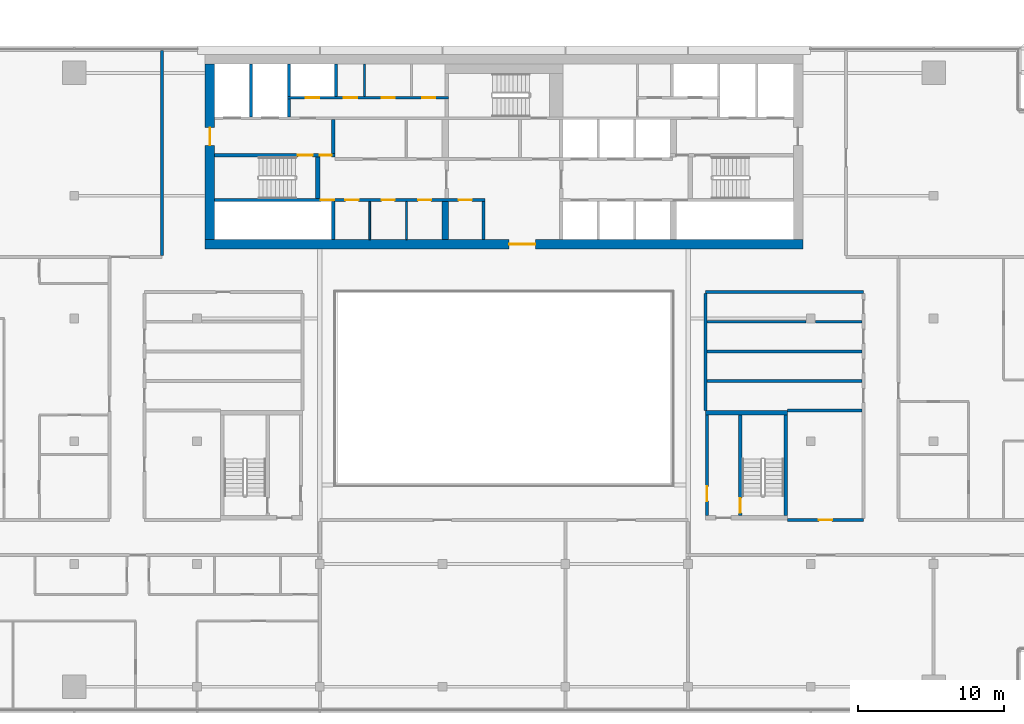
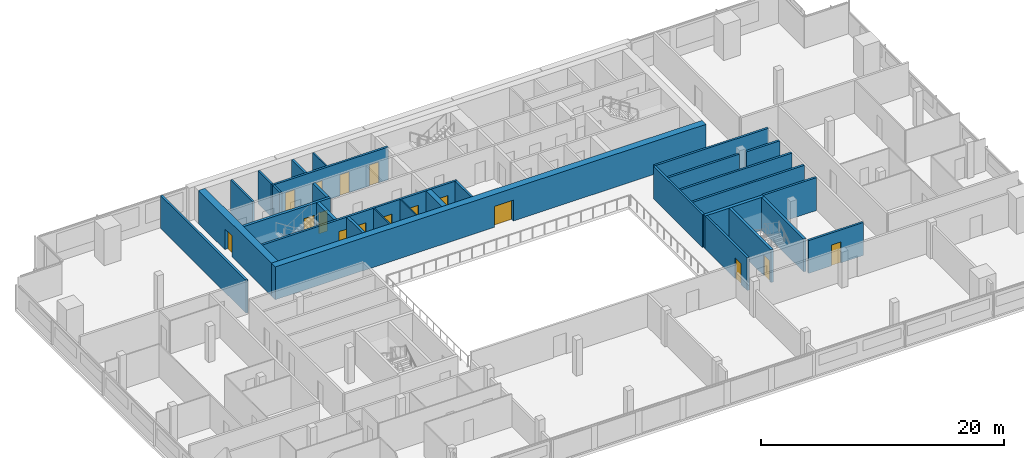
# One storey, part 19 of 25: 30 walls, 16 doors, 16 openings.
"""IFC4 building model written with IfcOpenShell, lengths in metres."""

import ifcopenshell
import ifcopenshell.guid

model = None  # the IFC model being written
_history = None  # IfcOwnerHistory: only IFC2X3 demands one
_inside = {}  # id of a spatial element -> (the spatial element, [elements in it])
_under = {}  # id of a project, library or spatial element -> (it, [spatial elements below it])
_declared = {}  # id of a project -> (the project, [libraries it declares])
_typed = {}  # id of a type object -> (the type object, [elements of that type])
_made_of = {}  # id of a material, layer set ... -> (it, [elements and type objects made of it])


def new_model(schema):
    """Start an empty IFC model of exactly this schema.

    Asked for "IFC4X3", IfcOpenShell would pick the latest addendum, in which some entities
    have other attributes; the version numbers below select the first issue.
    IFC2X3 requires an IfcOwnerHistory on every rooted entity: one is made here for all.
    """
    global model, _history
    if schema == "IFC4X3":
        model = ifcopenshell.file(schema_version=(4, 3, 0, 0))
    else:
        model = ifcopenshell.file(schema=schema)
    _inside.clear()
    _under.clear()
    _declared.clear()
    _typed.clear()
    _made_of.clear()
    _history = None
    if model.schema == "IFC2X3":
        org = make("IfcOrganization", Name="unknown")
        user = make(
            "IfcPersonAndOrganization",
            ThePerson=make("IfcPerson", FamilyName="unknown"),
            TheOrganization=org,
        )
        app = make(
            "IfcApplication",
            ApplicationDeveloper=org,
            Version="unknown",
            ApplicationFullName="unknown",
            ApplicationIdentifier="unknown",
        )
        _history = make(
            "IfcOwnerHistory",
            OwningUser=user,
            OwningApplication=app,
            ChangeAction="ADDED",
            CreationDate=0,
        )
    return model


def make(cls, **values):
    """One entity of the class cls with the attributes given. An attribute that is None is left unset."""
    return model.create_entity(
        cls, **{name: value for name, value in values.items() if value is not None}
    )


def rooted(cls, **values):
    """An entity with a GlobalId (a new one), such as an element, a storey or a relation."""
    return make(cls, GlobalId=ifcopenshell.guid.new(), OwnerHistory=_history, **values)


def si_unit(unit_type, name, prefix=None):
    """IfcSIUnit, for example si_unit("LENGTHUNIT", "METRE", prefix="MILLI")."""
    return make("IfcSIUnit", UnitType=unit_type, Prefix=prefix, Name=name)


def assignment(units):
    """IfcUnitAssignment: the units of a project."""
    return None if units is None else make("IfcUnitAssignment", Units=units)


def point(xyz):
    """IfcCartesianPoint."""
    return None if xyz is None else make("IfcCartesianPoint", Coordinates=xyz)


def direction(xyz):
    """IfcDirection."""
    return None if xyz is None else make("IfcDirection", DirectionRatios=xyz)


def frame(location, z_axis=None, x_axis=None):
    """IfcAxis2Placement3D, a coordinate frame: its origin and axes. An axis left out is left unset."""
    return make(
        "IfcAxis2Placement3D",
        Location=point(location),
        Axis=direction(z_axis),
        RefDirection=direction(x_axis),
    )


def frame_2d(location, x_axis=None):
    """IfcAxis2Placement2D, a coordinate frame in the plane: its origin and x axis."""
    return make(
        "IfcAxis2Placement2D", Location=point(location), RefDirection=direction(x_axis)
    )


def origin():
    """The frame at (0, 0, 0) with its axes left unset."""
    return frame((0.0, 0.0, 0.0))


def place(relative_to, where):
    """IfcLocalPlacement: puts the frame where relative to a parent placement (None: the world)."""
    return make(
        "IfcLocalPlacement", PlacementRelTo=relative_to, RelativePlacement=where
    )


def context(
    kind, dimensions, precision=None, world=None, true_north=None, identifier=None
):
    """IfcGeometricRepresentationContext, for example the 3D "Model" context."""
    return make(
        "IfcGeometricRepresentationContext",
        ContextIdentifier=identifier,
        ContextType=kind,
        CoordinateSpaceDimension=dimensions,
        Precision=precision,
        WorldCoordinateSystem=world,
        TrueNorth=true_north,
    )


def subcontext(parent, identifier, kind, view, scale=None):
    """IfcGeometricRepresentationSubContext, for example "Body" below "Model"."""
    return make(
        "IfcGeometricRepresentationSubContext",
        ContextIdentifier=identifier,
        ContextType=kind,
        ParentContext=parent,
        TargetScale=scale,
        TargetView=view,
    )


def project(units=None, contexts=None):
    """IfcProject with its units and contexts."""
    return rooted(
        "IfcProject",
        Name="project",
        RepresentationContexts=contexts,
        UnitsInContext=assignment(units),
    )


def spatial(cls, under=None, at=None, **own):
    """A site, building, storey or space (cls), placed at a placement, below another one or the project."""
    s = rooted(cls, ObjectPlacement=at, **own)
    if under is not None:
        _under.setdefault(under.id(), (under, []))[1].append(s)
    return s


def profile(cls, at=None, kind="AREA", **sizes):
    """A parametric profile (cls). Its sizes go by their IFC names, for example OverallWidth=200.0."""
    return make(cls, ProfileType=kind, Position=at, **sizes)


def rectangle(**sizes):
    """IfcRectangleProfileDef."""
    return profile("IfcRectangleProfileDef", **sizes)


def extrude(swept, where, along, depth):
    """IfcExtrudedAreaSolid: the profile swept, set in the frame where, extruded along a direction by depth."""
    return make(
        "IfcExtrudedAreaSolid",
        SweptArea=swept,
        Position=where,
        ExtrudedDirection=direction(along),
        Depth=depth,
    )


def shape(context_of_items, identifier, shape_type, items):
    """IfcShapeRepresentation: the items that make up one representation, for example the "Body"."""
    return make(
        "IfcShapeRepresentation",
        ContextOfItems=context_of_items,
        RepresentationIdentifier=identifier,
        RepresentationType=shape_type,
        Items=items,
    )


def material(Name=None, Category=None):
    """IfcMaterial."""
    return make("IfcMaterial", Name=Name, Category=Category)


def layer(
    of_material, thickness, ventilated=None, Name=None, Category=None, Priority=None
):
    """IfcMaterialLayer: one layer of a wall or slab, of a material (None: an air gap)."""
    return make(
        "IfcMaterialLayer",
        Material=of_material,
        LayerThickness=thickness,
        IsVentilated=ventilated,
        Name=Name,
        Category=Category,
        Priority=Priority,
    )


def layer_set(layers, Name=None):
    """IfcMaterialLayerSet."""
    return make("IfcMaterialLayerSet", MaterialLayers=layers, LayerSetName=Name)


def made_of(thing, what):
    """Note that an element or type object is made of a material, layer set ...; save() writes the relation."""
    if what is not None:
        _made_of.setdefault(what.id(), (what, []))[1].append(thing)
    return thing


def type_object(cls, material=None, **own):
    """A type object (cls), such as IfcWallType, which elements share."""
    return made_of(rooted(cls, **own), material)


def element(
    cls,
    number,
    at=None,
    inside=None,
    cuts=None,
    type_object=None,
    material=None,
    context=None,
    identifier="Body",
    shape_type=None,
    held_by="IfcProductDefinitionShape",
    body=None,
    shapes=None,
    **own,
):
    """One element of the class cls, such as IfcWall. Its Tag is "e" and its number.

    at: its placement. inside: the storey or other place that contains it. cuts: it is an
    opening in that element (IfcRelVoidsElement). A single representation is given by context,
    identifier, shape_type and body (its items); several are given by shapes. held_by: the class
    of the entity that holds the representations. save() writes the other relations.
    """
    e = rooted(cls, Tag="e%d" % number, ObjectPlacement=at, **own)
    if body is not None:
        shapes = [shape(context, identifier, shape_type, body)]
    if shapes is not None:
        e.Representation = make(held_by, Representations=shapes)
    if inside is not None:
        _inside.setdefault(inside.id(), (inside, []))[1].append(e)
    if cuts is not None:
        rooted(
            "IfcRelVoidsElement", RelatingBuildingElement=cuts, RelatedOpeningElement=e
        )
    if type_object is not None:
        _typed.setdefault(type_object.id(), (type_object, []))[1].append(e)
    return made_of(e, material)


def fill(opening, filler):
    """IfcRelFillsElement: the door or window that sits in an opening."""
    return rooted(
        "IfcRelFillsElement",
        RelatingOpeningElement=opening,
        RelatedBuildingElement=filler,
    )


def aggregate(whole, parts):
    """IfcRelAggregates: a whole, such as a stair, and the parts it consists of."""
    return rooted("IfcRelAggregates", RelatingObject=whole, RelatedObjects=parts)


def save(model, path):
    """Write the relations noted so far, then the file.

    IfcRelAggregates (storeys below a building ...), IfcRelContainedInSpatialStructure (elements
    in a storey), IfcRelDefinesByType, IfcRelAssociatesMaterial and IfcRelDeclares: one each for
    every whole, place, type object, material and project.
    """
    for whole, parts in _under.values():
        aggregate(whole, parts)
    for where, things in _inside.values():
        rooted(
            "IfcRelContainedInSpatialStructure",
            RelatedElements=things,
            RelatingStructure=where,
        )
    for kind, things in _typed.values():
        rooted("IfcRelDefinesByType", RelatedObjects=things, RelatingType=kind)
    for what, things in _made_of.values():
        rooted("IfcRelAssociatesMaterial", RelatedObjects=things, RelatingMaterial=what)
    for by, libraries in _declared.values():
        rooted("IfcRelDeclares", RelatingContext=by, RelatedDefinitions=libraries)
    model.write(path)


model = new_model("IFC4")

# Units and contexts
model_context = context("Model", 3, precision=1e-05, world=origin(), true_north=direction((0.0, 1.0)))
body_context = subcontext(model_context, "Body", "Model", "MODEL_VIEW")
ifc_project = project(units=[si_unit("LENGTHUNIT", "METRE"), si_unit("AREAUNIT", "SQUARE_METRE"), si_unit("VOLUMEUNIT", "CUBIC_METRE"), si_unit("PLANEANGLEUNIT", "RADIAN"), si_unit("MASSUNIT", "GRAM", prefix="KILO")], contexts=[model_context])

# Site, building, storey
site_placement = place(None, origin())
site = spatial("IfcSite", under=ifc_project, at=site_placement, CompositionType="ELEMENT")
building_placement = place(site_placement, origin())
building = spatial("IfcBuilding", under=site, at=building_placement, Name="Saffron Gate Tower", CompositionType="ELEMENT")
storey_placement = place(building_placement, frame((0.0, 0.0, 248.699951171875)))
storey = spatial("IfcBuildingStorey", under=building, at=storey_placement, Name="L61", CompositionType="ELEMENT", Elevation=248.699951171875)

# Wall
ifc_material_1 = material(Name="Gypsum board partition on steel studs", Category="steel")
ifc_layer_1 = layer(ifc_material_1, 0.199951171875)
ifc_layer_set_1 = layer_set([ifc_layer_1], Name="CW10 Core partition 200")
wall_type_1 = type_object("IfcWallType", Name="CW10 Core partition 200", PredefinedType="PARTITIONING", material=ifc_layer_set_1)
wall_1_placement = place(storey_placement, frame((86.199951171875, 62.39990234375, 0.0), z_axis=(0.0, 0.0, 1.0), x_axis=(0.0, 1.0, 0.0)))
element("IfcWall", 1, at=wall_1_placement, inside=storey, type_object=wall_type_1, Name="Wall CW10-L61-9", PredefinedType="PARTITIONING", context=body_context, shape_type="SweptSolid", body=[
    extrude(rectangle(XDim=2.60009765625, YDim=0.199951171875, at=frame_2d((1.300048828125, 0.0))), origin(), (0.0, 0.0, 1.0), 3.300048828125),
])

# Wall, opening, door
wall_2_placement = place(storey_placement, frame((101.5, 43.5, 0.0), z_axis=(0.0, 0.0, 1.0), x_axis=(0.0, 1.0, 0.0)))
wall_2 = element("IfcWall", 2, at=wall_2_placement, inside=storey, type_object=wall_type_1, Name="Wall CW10-L61-E-2", PredefinedType="PARTITIONING", context=body_context, shape_type="SweptSolid", body=[
    extrude(rectangle(XDim=6.89990234375, YDim=0.199951171875, at=frame_2d((3.449951171875, 0.0))), origin(), (0.0, 0.0, 1.0), 3.300048828125),
])
opening_1_placement = place(wall_2_placement, frame((1.0, 0.0, 0.0)))
opening_1 = element("IfcOpeningElement", 3, at=opening_1_placement, cuts=wall_2, Name="Opening CR-22", PredefinedType="OPENING", context=body_context, shape_type="SweptSolid", body=[
    extrude(rectangle(XDim=1.0, YDim=2.10009765625, at=frame_2d((0.5, 1.050048828125))), frame((0.0, 0.10986328125, 0.0), z_axis=(0.0, -1.0, 0.0), x_axis=(1.0, 0.0, 0.0)), (0.0, 0.0, 1.0), 0.219970703125),
])
ifc_material_2 = material(Name="Steel fire door set", Category="steel")
door_type_1 = type_object("IfcDoorType", Name="CD4 Lobby door 1000x2100 EI 120", OperationType="NOTDEFINED", PredefinedType="DOOR", material=ifc_material_2)
door_1_placement = place(opening_1_placement, origin())
door_1 = element("IfcDoor", 4, at=door_1_placement, inside=storey, type_object=door_type_1, Name="DOOR CR-22", OperationType="SINGLE_SWING_LEFT", OverallHeight=2.10009765625, OverallWidth=1.0, PredefinedType="DOOR", context=body_context, shape_type="SweptSolid", body=[
    extrude(rectangle(XDim=1.0, YDim=2.10009765625, at=frame_2d((0.5, 1.050048828125))), frame((0.0, 0.02490234375, 0.0), z_axis=(0.0, -1.0, 0.0), x_axis=(1.0, 0.0, 0.0)), (0.0, 0.0, 1.0), 0.050048828125),
])
fill(opening_1, door_1)

# Wall
ifc_material_3 = material(Name="Concrete C60", Category="concrete")
ifc_layer_2 = layer(ifc_material_3, 0.25)
ifc_layer_set_2 = layer_set([ifc_layer_2], Name="CW14 RC core wall 250 C60")
wall_type_2 = type_object("IfcWallType", Name="CW14 RC core wall 250 C60", PredefinedType="SOLIDWALL", material=ifc_layer_set_2)
wall_3_placement = place(storey_placement, frame((75.925048828125, 62.39990234375, 0.0), z_axis=(0.0, 0.0, 1.0), x_axis=(0.0, 1.0, 0.0)))
element("IfcWall", 5, at=wall_3_placement, inside=storey, type_object=wall_type_2, Name="Wall CW14-L61-5", PredefinedType="SOLIDWALL", context=body_context, shape_type="SweptSolid", body=[
    extrude(rectangle(XDim=2.60009765625, YDim=0.25, at=frame_2d((1.300048828125, 0.0))), origin(), (0.0, 0.0, 1.0), 3.300048828125),
])

# Wall, openings, doors
wall_4_placement = place(storey_placement, frame((67.800048828125, 68.175048828125, 0.0), z_axis=(0.0, 0.0, 1.0), x_axis=(1.0, 0.0, 0.0)))
wall_4 = element("IfcWall", 6, at=wall_4_placement, inside=storey, type_object=wall_type_2, Name="Wall CW14-L61-28", PredefinedType="SOLIDWALL", context=body_context, shape_type="SweptSolid", body=[
    extrude(rectangle(XDim=8.25, YDim=0.25, at=frame_2d((4.125, 0.0))), origin(), (0.0, 0.0, 1.0), 3.300048828125),
])
opening_2_placement = place(wall_4_placement, frame((5.699951171875, 0.0, 0.0)))
opening_2 = element("IfcOpeningElement", 7, at=opening_2_placement, cuts=wall_4, Name="Opening CR-15", PredefinedType="OPENING", context=body_context, shape_type="SweptSolid", body=[
    extrude(rectangle(XDim=1.0, YDim=2.10009765625, at=frame_2d((0.5, 1.050048828125))), frame((0.0, 0.135009765625, 0.0), z_axis=(0.0, -1.0, 0.0), x_axis=(1.0, 0.0, 0.0)), (0.0, 0.0, 1.0), 0.27001953125),
])
opening_3_placement = place(wall_4_placement, frame((7.199951171875, 0.0, 0.0)))
opening_3 = element("IfcOpeningElement", 8, at=opening_3_placement, cuts=wall_4, Name="Opening CR-06", PredefinedType="OPENING", context=body_context, shape_type="SweptSolid", body=[
    extrude(rectangle(XDim=0.800048828125, YDim=2.10009765625, at=frame_2d((0.39990234375, 1.050048828125))), frame((0.0, 0.135009765625, 0.0), z_axis=(0.0, -1.0, 0.0), x_axis=(1.0, 0.0, 0.0)), (0.0, 0.0, 1.0), 0.27001953125),
])
door_type_2 = type_object("IfcDoorType", Name="CD5 Stair door 1000x2100 EI 120", OperationType="NOTDEFINED", PredefinedType="DOOR", material=ifc_material_2)
door_2_placement = place(opening_2_placement, origin())
door_2 = element("IfcDoor", 9, at=door_2_placement, inside=storey, type_object=door_type_2, Name="DOOR CR-15", OperationType="SINGLE_SWING_RIGHT", OverallHeight=2.10009765625, OverallWidth=1.0, PredefinedType="DOOR", context=body_context, shape_type="SweptSolid", body=[
    extrude(rectangle(XDim=1.0, YDim=2.10009765625, at=frame_2d((0.5, 1.050048828125))), frame((0.0, 0.02490234375, 0.0), z_axis=(0.0, -1.0, 0.0), x_axis=(1.0, 0.0, 0.0)), (0.0, 0.0, 1.0), 0.050048828125),
])
fill(opening_2, door_2)
door_type_3 = type_object("IfcDoorType", Name="CD6 Lobby door 800x2100 EI 120", OperationType="NOTDEFINED", PredefinedType="DOOR", material=ifc_material_2)
door_3_placement = place(opening_3_placement, origin())
door_3 = element("IfcDoor", 10, at=door_3_placement, inside=storey, type_object=door_type_3, Name="DOOR CR-06", OperationType="SINGLE_SWING_LEFT", OverallHeight=2.10009765625, OverallWidth=0.800048828125, PredefinedType="DOOR", context=body_context, shape_type="SweptSolid", body=[
    extrude(rectangle(XDim=0.800048828125, YDim=2.10009765625, at=frame_2d((0.39990234375, 1.050048828125))), frame((0.0, 0.02490234375, 0.0), z_axis=(0.0, -1.0, 0.0), x_axis=(1.0, 0.0, 0.0)), (0.0, 0.0, 1.0), 0.050048828125),
])
fill(opening_3, door_3)

# Wall
wall_5_placement = place(storey_placement, frame((75.925048828125, 68.300048828125, 0.0), z_axis=(0.0, 0.0, 1.0), x_axis=(0.0, 1.0, 0.0)))
element("IfcWall", 11, at=wall_5_placement, inside=storey, type_object=wall_type_2, Name="Wall CW14-L61-30", PredefinedType="SOLIDWALL", context=body_context, shape_type="SweptSolid", body=[
    extrude(rectangle(XDim=2.300048828125, YDim=0.25, at=frame_2d((1.14990234375, 0.0))), origin(), (0.0, 0.0, 1.0), 3.300048828125),
])

# Wall, opening, door
wall_6_placement = place(storey_placement, frame((103.77490234375, 43.5, 0.0), z_axis=(0.0, 0.0, 1.0), x_axis=(0.0, 1.0, 0.0)))
wall_6 = element("IfcWall", 12, at=wall_6_placement, inside=storey, type_object=wall_type_2, Name="Wall CW14-L61-E-3", PredefinedType="SOLIDWALL", context=body_context, shape_type="SweptSolid", body=[
    extrude(rectangle(XDim=6.89990234375, YDim=0.25, at=frame_2d((3.449951171875, 0.0))), origin(), (0.0, 0.0, 1.0), 3.300048828125),
])
opening_4_placement = place(wall_6_placement, frame((0.199951171875, 0.0, 0.0)))
opening_4 = element("IfcOpeningElement", 13, at=opening_4_placement, cuts=wall_6, Name="Opening CR-23", PredefinedType="OPENING", context=body_context, shape_type="SweptSolid", body=[
    extrude(rectangle(XDim=1.0, YDim=2.10009765625, at=frame_2d((0.5, 1.050048828125))), frame((0.0, 0.135009765625, 0.0), z_axis=(0.0, -1.0, 0.0), x_axis=(1.0, 0.0, 0.0)), (0.0, 0.0, 1.0), 0.27001953125),
])
door_4_placement = place(opening_4_placement, origin())
door_4 = element("IfcDoor", 14, at=door_4_placement, inside=storey, type_object=door_type_2, Name="DOOR CR-23", OperationType="SINGLE_SWING_RIGHT", OverallHeight=2.10009765625, OverallWidth=1.0, PredefinedType="DOOR", context=body_context, shape_type="SweptSolid", body=[
    extrude(rectangle(XDim=1.0, YDim=2.10009765625, at=frame_2d((0.5, 1.050048828125))), frame((0.0, 0.02490234375, 0.0), z_axis=(0.0, -1.0, 0.0), x_axis=(1.0, 0.0, 0.0)), (0.0, 0.0, 1.0), 0.050048828125),
])
fill(opening_4, door_4)

# Wall
wall_7_placement = place(storey_placement, frame((106.875, 43.5, 0.0), z_axis=(0.0, 0.0, 1.0), x_axis=(0.0, 1.0, 0.0)))
element("IfcWall", 15, at=wall_7_placement, inside=storey, type_object=wall_type_2, Name="Wall CW14-L61-E-4", PredefinedType="SOLIDWALL", context=body_context, shape_type="SweptSolid", body=[
    extrude(rectangle(XDim=6.89990234375, YDim=0.25, at=frame_2d((3.449951171875, 0.0))), origin(), (0.0, 0.0, 1.0), 3.300048828125),
])

# Wall, openings, doors
ifc_layer_3 = layer(ifc_material_3, 0.199951171875)
ifc_layer_set_3 = layer_set([ifc_layer_3], Name="CW15 RC core wall 200 C60")
wall_type_3 = type_object("IfcWallType", Name="CW15 RC core wall 200 C60", PredefinedType="SOLIDWALL", material=ifc_layer_set_3)
wall_8_placement = place(storey_placement, frame((67.800048828125, 65.10009765625, 0.0), z_axis=(0.0, 0.0, 1.0), x_axis=(1.0, 0.0, 0.0)))
wall_8 = element("IfcWall", 16, at=wall_8_placement, inside=storey, type_object=wall_type_3, Name="Wall CW15-L61-14", PredefinedType="SOLIDWALL", context=body_context, shape_type="SweptSolid", body=[
    extrude(rectangle(XDim=18.5, YDim=0.199951171875, at=frame_2d((9.25, 0.0))), origin(), (0.0, 0.0, 1.0), 3.300048828125),
])
opening_5_placement = place(wall_8_placement, frame((7.27001953125, 0.0, 0.0)))
opening_5 = element("IfcOpeningElement", 17, at=opening_5_placement, cuts=wall_8, Name="Opening CR-49", PredefinedType="OPENING", context=body_context, shape_type="SweptSolid", body=[
    extrude(rectangle(XDim=0.89990234375, YDim=2.10009765625, at=frame_2d((0.449951171875, 1.050048828125))), frame((0.0, 0.10986328125, 0.0), z_axis=(0.0, -1.0, 0.0), x_axis=(1.0, 0.0, 0.0)), (0.0, 0.0, 1.0), 0.219970703125),
])
opening_6_placement = place(wall_8_placement, frame((8.949951171875, 0.0, 0.0)))
opening_6 = element("IfcOpeningElement", 18, at=opening_6_placement, cuts=wall_8, Name="Opening CR-64", PredefinedType="OPENING", context=body_context, shape_type="SweptSolid", body=[
    extrude(rectangle(XDim=0.89990234375, YDim=2.10009765625, at=frame_2d((0.449951171875, 1.050048828125))), frame((0.0, 0.10986328125, 0.0), z_axis=(0.0, -1.0, 0.0), x_axis=(1.0, 0.0, 0.0)), (0.0, 0.0, 1.0), 0.219970703125),
])
opening_7_placement = place(wall_8_placement, frame((11.419921875, 0.0, 0.0)))
opening_7 = element("IfcOpeningElement", 19, at=opening_7_placement, cuts=wall_8, Name="Opening CR-65", PredefinedType="OPENING", context=body_context, shape_type="SweptSolid", body=[
    extrude(rectangle(XDim=0.89990234375, YDim=2.10009765625, at=frame_2d((0.449951171875, 1.050048828125))), frame((0.0, 0.10986328125, 0.0), z_axis=(0.0, -1.0, 0.0), x_axis=(1.0, 0.0, 0.0)), (0.0, 0.0, 1.0), 0.219970703125),
])
opening_8_placement = place(wall_8_placement, frame((13.919921875, 0.0, 0.0)))
opening_8 = element("IfcOpeningElement", 20, at=opening_8_placement, cuts=wall_8, Name="Opening CR-66", PredefinedType="OPENING", context=body_context, shape_type="SweptSolid", body=[
    extrude(rectangle(XDim=0.89990234375, YDim=2.10009765625, at=frame_2d((0.449951171875, 1.050048828125))), frame((0.0, 0.10986328125, 0.0), z_axis=(0.0, -1.0, 0.0), x_axis=(1.0, 0.0, 0.0)), (0.0, 0.0, 1.0), 0.219970703125),
])
opening_9_placement = place(wall_8_placement, frame((16.699951171875, 0.0, 0.0)))
opening_9 = element("IfcOpeningElement", 21, at=opening_9_placement, cuts=wall_8, Name="Opening CR-69", PredefinedType="OPENING", context=body_context, shape_type="SweptSolid", body=[
    extrude(rectangle(XDim=0.89990234375, YDim=2.10009765625, at=frame_2d((0.449951171875, 1.050048828125))), frame((0.0, 0.10986328125, 0.0), z_axis=(0.0, -1.0, 0.0), x_axis=(1.0, 0.0, 0.0)), (0.0, 0.0, 1.0), 0.219970703125),
])
door_type_4 = type_object("IfcDoorType", Name="CD2 Riser door 900x2100 EI 60", OperationType="NOTDEFINED", PredefinedType="DOOR", material=ifc_material_2)
door_5_placement = place(opening_5_placement, origin())
door_5 = element("IfcDoor", 22, at=door_5_placement, inside=storey, type_object=door_type_4, Name="DOOR CR-49", OperationType="SINGLE_SWING_LEFT", OverallHeight=2.10009765625, OverallWidth=0.89990234375, PredefinedType="DOOR", context=body_context, shape_type="SweptSolid", body=[
    extrude(rectangle(XDim=0.89990234375, YDim=2.10009765625, at=frame_2d((0.449951171875, 1.050048828125))), frame((0.0, 0.02490234375, 0.0), z_axis=(0.0, -1.0, 0.0), x_axis=(1.0, 0.0, 0.0)), (0.0, 0.0, 1.0), 0.050048828125),
])
fill(opening_5, door_5)
door_type_5 = type_object("IfcDoorType", Name="CD9 Room door 900x2100 EI 60", OperationType="NOTDEFINED", PredefinedType="DOOR", material=ifc_material_2)
door_6_placement = place(opening_6_placement, origin())
door_6 = element("IfcDoor", 23, at=door_6_placement, inside=storey, type_object=door_type_5, Name="DOOR CR-64", OperationType="SINGLE_SWING_RIGHT", OverallHeight=2.10009765625, OverallWidth=0.89990234375, PredefinedType="DOOR", context=body_context, shape_type="SweptSolid", body=[
    extrude(rectangle(XDim=0.89990234375, YDim=2.10009765625, at=frame_2d((0.449951171875, 1.050048828125))), frame((0.0, 0.02490234375, 0.0), z_axis=(0.0, -1.0, 0.0), x_axis=(1.0, 0.0, 0.0)), (0.0, 0.0, 1.0), 0.050048828125),
])
fill(opening_6, door_6)
door_7_placement = place(opening_7_placement, origin())
door_7 = element("IfcDoor", 24, at=door_7_placement, inside=storey, type_object=door_type_5, Name="DOOR CR-65", OperationType="SINGLE_SWING_RIGHT", OverallHeight=2.10009765625, OverallWidth=0.89990234375, PredefinedType="DOOR", context=body_context, shape_type="SweptSolid", body=[
    extrude(rectangle(XDim=0.89990234375, YDim=2.10009765625, at=frame_2d((0.449951171875, 1.050048828125))), frame((0.0, 0.02490234375, 0.0), z_axis=(0.0, -1.0, 0.0), x_axis=(1.0, 0.0, 0.0)), (0.0, 0.0, 1.0), 0.050048828125),
])
fill(opening_7, door_7)
door_8_placement = place(opening_8_placement, origin())
door_8 = element("IfcDoor", 25, at=door_8_placement, inside=storey, type_object=door_type_5, Name="DOOR CR-66", OperationType="SINGLE_SWING_RIGHT", OverallHeight=2.10009765625, OverallWidth=0.89990234375, PredefinedType="DOOR", context=body_context, shape_type="SweptSolid", body=[
    extrude(rectangle(XDim=0.89990234375, YDim=2.10009765625, at=frame_2d((0.449951171875, 1.050048828125))), frame((0.0, 0.02490234375, 0.0), z_axis=(0.0, -1.0, 0.0), x_axis=(1.0, 0.0, 0.0)), (0.0, 0.0, 1.0), 0.050048828125),
])
fill(opening_8, door_8)
door_9_placement = place(opening_9_placement, origin())
door_9 = element("IfcDoor", 26, at=door_9_placement, inside=storey, type_object=door_type_5, Name="DOOR CR-69", OperationType="SINGLE_SWING_RIGHT", OverallHeight=2.10009765625, OverallWidth=0.89990234375, PredefinedType="DOOR", context=body_context, shape_type="SweptSolid", body=[
    extrude(rectangle(XDim=0.89990234375, YDim=2.10009765625, at=frame_2d((0.449951171875, 1.050048828125))), frame((0.0, 0.02490234375, 0.0), z_axis=(0.0, -1.0, 0.0), x_axis=(1.0, 0.0, 0.0)), (0.0, 0.0, 1.0), 0.050048828125),
])
fill(opening_9, door_9)

# Walls
wall_9_placement = place(storey_placement, frame((70.300048828125, 70.800048828125, 0.0), z_axis=(0.0, 0.0, 1.0), x_axis=(0.0, 1.0, 0.0)))
element("IfcWall", 27, at=wall_9_placement, inside=storey, type_object=wall_type_3, Name="Wall CW15-L61-33", PredefinedType="SOLIDWALL", context=body_context, shape_type="SweptSolid", body=[
    extrude(rectangle(XDim=3.599853515625, YDim=0.199951171875, at=frame_2d((1.7998046875, 0.0))), origin(), (0.0, 0.0, 1.0), 3.300048828125),
])
wall_10_placement = place(storey_placement, frame((72.89990234375, 70.800048828125, 0.0), z_axis=(0.0, 0.0, 1.0), x_axis=(0.0, 1.0, 0.0)))
element("IfcWall", 28, at=wall_10_placement, inside=storey, type_object=wall_type_3, Name="Wall CW15-L61-34", PredefinedType="SOLIDWALL", context=body_context, shape_type="SweptSolid", body=[
    extrude(rectangle(XDim=1.199951171875, YDim=0.199951171875, at=frame_2d((0.60009765625, 0.0))), origin(), (0.0, 0.0, 1.0), 3.300048828125),
])

# Wall, openings, doors
wall_11_placement = place(storey_placement, frame((72.800048828125, 72.10009765625, 0.0), z_axis=(0.0, 0.0, 1.0), x_axis=(1.0, 0.0, 0.0)))
wall_11 = element("IfcWall", 29, at=wall_11_placement, inside=storey, type_object=wall_type_3, Name="Wall CW15-L61-40", PredefinedType="SOLIDWALL", context=body_context, shape_type="SweptSolid", body=[
    extrude(rectangle(XDim=11.0, YDim=0.199951171875, at=frame_2d((5.5, 0.0))), origin(), (0.0, 0.0, 1.0), 3.300048828125),
])
opening_10_placement = place(wall_11_placement, frame((1.25, 0.0, 0.0)))
opening_10 = element("IfcOpeningElement", 30, at=opening_10_placement, cuts=wall_11, Name="Opening CR-71", PredefinedType="OPENING", context=body_context, shape_type="SweptSolid", body=[
    extrude(rectangle(XDim=0.89990234375, YDim=2.10009765625, at=frame_2d((0.449951171875, 1.050048828125))), frame((0.0, 0.10986328125, 0.0), z_axis=(0.0, -1.0, 0.0), x_axis=(1.0, 0.0, 0.0)), (0.0, 0.0, 1.0), 0.219970703125),
])
opening_11_placement = place(wall_11_placement, frame((3.85009765625, 0.0, 0.0)))
opening_11 = element("IfcOpeningElement", 31, at=opening_11_placement, cuts=wall_11, Name="Opening CR-55", PredefinedType="OPENING", context=body_context, shape_type="SweptSolid", body=[
    extrude(rectangle(XDim=0.89990234375, YDim=2.10009765625, at=frame_2d((0.449951171875, 1.050048828125))), frame((0.0, 0.10986328125, 0.0), z_axis=(0.0, -1.0, 0.0), x_axis=(1.0, 0.0, 0.0)), (0.0, 0.0, 1.0), 0.219970703125),
])
opening_12_placement = place(wall_11_placement, frame((6.419921875, 0.0, 0.0)))
opening_12 = element("IfcOpeningElement", 32, at=opening_12_placement, cuts=wall_11, Name="Opening CR-58", PredefinedType="OPENING", context=body_context, shape_type="SweptSolid", body=[
    extrude(rectangle(XDim=0.89990234375, YDim=2.10009765625, at=frame_2d((0.449951171875, 1.050048828125))), frame((0.0, 0.10986328125, 0.0), z_axis=(0.0, -1.0, 0.0), x_axis=(1.0, 0.0, 0.0)), (0.0, 0.0, 1.0), 0.219970703125),
])
opening_13_placement = place(wall_11_placement, frame((9.195068359375, 0.0, 0.0)))
opening_13 = element("IfcOpeningElement", 33, at=opening_13_placement, cuts=wall_11, Name="Opening CR-59", PredefinedType="OPENING", context=body_context, shape_type="SweptSolid", body=[
    extrude(rectangle(XDim=0.89990234375, YDim=2.10009765625, at=frame_2d((0.449951171875, 1.050048828125))), frame((0.0, 0.10986328125, 0.0), z_axis=(0.0, -1.0, 0.0), x_axis=(1.0, 0.0, 0.0)), (0.0, 0.0, 1.0), 0.219970703125),
])
door_10_placement = place(opening_10_placement, origin())
door_10 = element("IfcDoor", 34, at=door_10_placement, inside=storey, type_object=door_type_4, Name="DOOR CR-71", OperationType="SINGLE_SWING_LEFT", OverallHeight=2.10009765625, OverallWidth=0.89990234375, PredefinedType="DOOR", context=body_context, shape_type="SweptSolid", body=[
    extrude(rectangle(XDim=0.89990234375, YDim=2.10009765625, at=frame_2d((0.449951171875, 1.050048828125))), frame((0.0, 0.02490234375, 0.0), z_axis=(0.0, -1.0, 0.0), x_axis=(1.0, 0.0, 0.0)), (0.0, 0.0, 1.0), 0.050048828125),
])
fill(opening_10, door_10)
door_11_placement = place(opening_11_placement, origin())
door_11 = element("IfcDoor", 35, at=door_11_placement, inside=storey, type_object=door_type_5, Name="DOOR CR-55", OperationType="SINGLE_SWING_LEFT", OverallHeight=2.10009765625, OverallWidth=0.89990234375, PredefinedType="DOOR", context=body_context, shape_type="SweptSolid", body=[
    extrude(rectangle(XDim=0.89990234375, YDim=2.10009765625, at=frame_2d((0.449951171875, 1.050048828125))), frame((0.0, 0.02490234375, 0.0), z_axis=(0.0, -1.0, 0.0), x_axis=(1.0, 0.0, 0.0)), (0.0, 0.0, 1.0), 0.050048828125),
])
fill(opening_11, door_11)
door_12_placement = place(opening_12_placement, origin())
door_12 = element("IfcDoor", 36, at=door_12_placement, inside=storey, type_object=door_type_5, Name="DOOR CR-58", OperationType="SINGLE_SWING_LEFT", OverallHeight=2.10009765625, OverallWidth=0.89990234375, PredefinedType="DOOR", context=body_context, shape_type="SweptSolid", body=[
    extrude(rectangle(XDim=0.89990234375, YDim=2.10009765625, at=frame_2d((0.449951171875, 1.050048828125))), frame((0.0, 0.02490234375, 0.0), z_axis=(0.0, -1.0, 0.0), x_axis=(1.0, 0.0, 0.0)), (0.0, 0.0, 1.0), 0.050048828125),
])
fill(opening_12, door_12)
door_13_placement = place(opening_13_placement, origin())
door_13 = element("IfcDoor", 37, at=door_13_placement, inside=storey, type_object=door_type_5, Name="DOOR CR-59", OperationType="SINGLE_SWING_LEFT", OverallHeight=2.10009765625, OverallWidth=0.89990234375, PredefinedType="DOOR", context=body_context, shape_type="SweptSolid", body=[
    extrude(rectangle(XDim=0.89990234375, YDim=2.10009765625, at=frame_2d((0.449951171875, 1.050048828125))), frame((0.0, 0.02490234375, 0.0), z_axis=(0.0, -1.0, 0.0), x_axis=(1.0, 0.0, 0.0)), (0.0, 0.0, 1.0), 0.050048828125),
])
fill(opening_13, door_13)

# Walls
for number, where, z_axis, x_axis, name in (
    (38, (72.89990234375, 72.199951171875, 0.0), (0.0, 0.0, 1.0), (0.0, 1.0, 0.0), "Wall CW15-L61-42"),
    (39, (76.10009765625, 72.199951171875, 0.0), (0.0, 0.0, 1.0), (0.0, 1.0, 0.0), "Wall CW15-L61-43"),
):
    element("IfcWall", number, at=place(storey_placement, frame(where, z_axis=z_axis, x_axis=x_axis)), inside=storey, type_object=wall_type_3, Name=name, PredefinedType="SOLIDWALL", context=body_context, shape_type="SweptSolid", body=[
        extrude(rectangle(XDim=2.199951171875, YDim=0.199951171875, at=frame_2d((1.10009765625, 0.0))), origin(), (0.0, 0.0, 1.0), 3.300048828125),
    ])
ifc_layer_4 = layer(ifc_material_3, 0.449951171875)
ifc_layer_set_4 = layer_set([ifc_layer_4], Name="CW16 RC core wall 450 C60")
wall_type_4 = type_object("IfcWallType", Name="CW16 RC core wall 450 C60", PredefinedType="SOLIDWALL", material=ifc_layer_set_4)
wall_12_placement = place(storey_placement, frame((83.574951171875, 62.39990234375, 0.0), z_axis=(0.0, 0.0, 1.0), x_axis=(0.0, 1.0, 0.0)))
element("IfcWall", 40, at=wall_12_placement, inside=storey, type_object=wall_type_4, Name="Wall CW16-L61-8", PredefinedType="SOLIDWALL", context=body_context, shape_type="SweptSolid", body=[
    extrude(rectangle(XDim=2.60009765625, YDim=0.449951171875, at=frame_2d((1.300048828125, 0.0))), origin(), (0.0, 0.0, 1.0), 3.300048828125),
])
ifc_layer_5 = layer(ifc_material_3, 0.300048828125)
ifc_layer_set_5 = layer_set([ifc_layer_5], Name="CW17 RC core wall 300 C60")
wall_type_5 = type_object("IfcWallType", Name="CW17 RC core wall 300 C60", PredefinedType="SOLIDWALL", material=ifc_layer_set_5)
wall_13_placement = place(storey_placement, frame((74.85009765625, 65.199951171875, 0.0), z_axis=(0.0, 0.0, 1.0), x_axis=(0.0, 1.0, 0.0)))
element("IfcWall", 41, at=wall_13_placement, inside=storey, type_object=wall_type_5, Name="Wall CW17-L61-16", PredefinedType="SOLIDWALL", context=body_context, shape_type="SweptSolid", body=[
    extrude(rectangle(XDim=2.85009765625, YDim=0.300048828125, at=frame_2d((1.425048828125, 0.0))), origin(), (0.0, 0.0, 1.0), 3.300048828125),
])
wall_14_placement = place(storey_placement, frame((101.39990234375, 50.550048828125, 0.0), z_axis=(0.0, 0.0, 1.0), x_axis=(1.0, 0.0, 0.0)))
element("IfcWall", 42, at=wall_14_placement, inside=storey, type_object=wall_type_5, Name="Wall CW17-L61-E-5", PredefinedType="SOLIDWALL", context=body_context, shape_type="SweptSolid", body=[
    extrude(rectangle(XDim=5.60009765625, YDim=0.300048828125, at=frame_2d((2.800048828125, 0.0))), origin(), (0.0, 0.0, 1.0), 3.300048828125),
])

# Wall, opening, door
ifc_layer_6 = layer(ifc_material_3, 0.64990234375)
ifc_layer_set_6 = layer_set([ifc_layer_6], Name="CW20 RC core wall 650 C60")
wall_type_6 = type_object("IfcWallType", Name="CW20 RC core wall 650 C60", PredefinedType="SOLIDWALL", material=ifc_layer_set_6)
wall_15_placement = place(storey_placement, frame((67.14990234375, 62.074951171875, 0.0), z_axis=(0.0, 0.0, 1.0), x_axis=(1.0, 0.0, 0.0)))
wall_15 = element("IfcWall", 43, at=wall_15_placement, inside=storey, type_object=wall_type_6, Name="Wall CW20-L61-1", PredefinedType="SOLIDWALL", context=body_context, shape_type="SweptSolid", body=[
    extrude(rectangle(XDim=40.900146484375, YDim=0.64990234375, at=frame_2d((20.4501953125, 0.0))), origin(), (0.0, 0.0, 1.0), 3.300048828125),
])
opening_14_placement = place(wall_15_placement, frame((20.800048828125, 0.0, 0.0)))
opening_14 = element("IfcOpeningElement", 44, at=opening_14_placement, cuts=wall_15, Name="Opening CR-09", PredefinedType="OPENING", context=body_context, shape_type="SweptSolid", body=[
    extrude(rectangle(XDim=1.800048828125, YDim=2.10009765625, at=frame_2d((0.89990234375, 1.050048828125))), frame((0.0, 0.3349609375, 0.0), z_axis=(0.0, -1.0, 0.0), x_axis=(1.0, 0.0, 0.0)), (0.0, 0.0, 1.0), 0.669921875),
])
door_type_6 = type_object("IfcDoorType", Name="CD1 Core entrance door 1800x2100 EI 120", OperationType="NOTDEFINED", PredefinedType="DOOR", material=ifc_material_2)
door_14_placement = place(opening_14_placement, origin())
door_14 = element("IfcDoor", 45, at=door_14_placement, inside=storey, type_object=door_type_6, Name="DOOR CR-09", OperationType="DOUBLE_DOOR_SINGLE_SWING", OverallHeight=2.10009765625, OverallWidth=1.800048828125, PredefinedType="DOOR", context=body_context, shape_type="SweptSolid", body=[
    extrude(rectangle(XDim=1.800048828125, YDim=2.10009765625, at=frame_2d((0.89990234375, 1.050048828125))), frame((0.0, 0.02490234375, 0.0), z_axis=(0.0, -1.0, 0.0), x_axis=(1.0, 0.0, 0.0)), (0.0, 0.0, 1.0), 0.050048828125),
])
fill(opening_14, door_14)

wall_16_placement = place(storey_placement, frame((67.47509765625, 62.39990234375, 0.0), z_axis=(0.0, 0.0, 1.0), x_axis=(0.0, 1.0, 0.0)))
wall_16 = element("IfcWall", 46, at=wall_16_placement, inside=storey, type_object=wall_type_6, Name="Wall CW20-L61-3", PredefinedType="SOLIDWALL", context=body_context, shape_type="SweptSolid", body=[
    extrude(rectangle(XDim=12.0, YDim=0.64990234375, at=frame_2d((6.0, 0.0))), origin(), (0.0, 0.0, 1.0), 3.300048828125),
])
opening_15_placement = place(wall_16_placement, frame((6.449951171875, 0.0, 0.0)))
opening_15 = element("IfcOpeningElement", 47, at=opening_15_placement, cuts=wall_16, Name="Opening CR-10", PredefinedType="OPENING", context=body_context, shape_type="SweptSolid", body=[
    extrude(rectangle(XDim=1.199951171875, YDim=2.10009765625, at=frame_2d((0.60009765625, 1.050048828125))), frame((0.0, 0.3349609375, 0.0), z_axis=(0.0, -1.0, 0.0), x_axis=(1.0, 0.0, 0.0)), (0.0, 0.0, 1.0), 0.669921875),
])
door_type_7 = type_object("IfcDoorType", Name="CD7 Core entrance door 1200x2100 EI 120", OperationType="NOTDEFINED", PredefinedType="DOOR", material=ifc_material_2)
door_15_placement = place(opening_15_placement, origin())
door_15 = element("IfcDoor", 48, at=door_15_placement, inside=storey, type_object=door_type_7, Name="DOOR CR-10", OperationType="SINGLE_SWING_LEFT", OverallHeight=2.10009765625, OverallWidth=1.199951171875, PredefinedType="DOOR", context=body_context, shape_type="SweptSolid", body=[
    extrude(rectangle(XDim=1.199951171875, YDim=2.10009765625, at=frame_2d((0.60009765625, 1.050048828125))), frame((0.0, 0.02490234375, 0.0), z_axis=(0.0, -1.0, 0.0), x_axis=(1.0, 0.0, 0.0)), (0.0, 0.0, 1.0), 0.050048828125),
])
fill(opening_15, door_15)

# Walls
ifc_layer_7 = layer(ifc_material_1, 0.1201171875)
ifc_layer_set_7 = layer_set([ifc_layer_7], Name="CW8 Core partition 120")
wall_type_7 = type_object("IfcWallType", Name="CW8 Core partition 120", PredefinedType="PARTITIONING", material=ifc_layer_set_7)
for number, where, z_axis, x_axis, name in (
    (49, (78.409912109375, 62.39990234375, 0.0), (0.0, 0.0, 1.0), (0.0, 1.0, 0.0), "Wall CW8-L61-6"),
    (50, (80.929931640625, 62.39990234375, 0.0), (0.0, 0.0, 1.0), (0.0, 1.0, 0.0), "Wall CW8-L61-7"),
):
    element("IfcWall", number, at=place(storey_placement, frame(where, z_axis=z_axis, x_axis=x_axis)), inside=storey, type_object=wall_type_7, Name=name, PredefinedType="PARTITIONING", context=body_context, shape_type="SweptSolid", body=[
        extrude(rectangle(XDim=2.60009765625, YDim=0.1201171875, at=frame_2d((1.300048828125, 0.0))), origin(), (0.0, 0.0, 1.0), 3.300048828125),
    ])
wall_17_placement = place(storey_placement, frame((78.06005859375, 72.199951171875, 0.0), z_axis=(0.0, 0.0, 1.0), x_axis=(0.0, 1.0, 0.0)))
element("IfcWall", 51, at=wall_17_placement, inside=storey, type_object=wall_type_7, Name="Wall CW8-L61-44", PredefinedType="PARTITIONING", context=body_context, shape_type="SweptSolid", body=[
    extrude(rectangle(XDim=2.199951171875, YDim=0.1201171875, at=frame_2d((1.10009765625, 0.0))), origin(), (0.0, 0.0, 1.0), 3.300048828125),
])
ifc_material_4 = material(Name="Clay brick masonry, rendered", Category="masonry")
ifc_layer_8 = layer(ifc_material_4, 0.199951171875)
ifc_layer_set_8 = layer_set([ifc_layer_8], Name="PW2 Demising wall 200")
wall_type_8 = type_object("IfcWallType", Name="PW2 Demising wall 200", PredefinedType="PARTITIONING", material=ifc_layer_set_8)
wall_18_placement = place(storey_placement, frame((107.0, 50.699951171875, 0.0), z_axis=(0.0, 0.0, 1.0), x_axis=(1.0, 0.0, 0.0)))
element("IfcWall", 52, at=wall_18_placement, inside=storey, type_object=wall_type_8, Name="Wall D5-22", PredefinedType="PARTITIONING", context=body_context, shape_type="SweptSolid", body=[
    extrude(rectangle(XDim=5.10009765625, YDim=0.199951171875, at=frame_2d((2.550048828125, 0.0))), origin(), (0.0, 0.0, 1.0), 3.300048828125),
])
for number, where, z_axis, x_axis, name in (
    (53, (101.5, 52.72509765625, 0.0), (0.0, 0.0, 1.0), (1.0, 0.0, 0.0), "Wall D5-25"),
    (54, (101.5, 54.75, 0.0), (0.0, 0.0, 1.0), (1.0, 0.0, 0.0), "Wall D5-28"),
):
    element("IfcWall", number, at=place(storey_placement, frame(where, z_axis=z_axis, x_axis=x_axis)), inside=storey, type_object=wall_type_8, Name=name, PredefinedType="PARTITIONING", context=body_context, shape_type="SweptSolid", body=[
        extrude(rectangle(XDim=10.60009765625, YDim=0.199951171875, at=frame_2d((5.300048828125, 0.0))), origin(), (0.0, 0.0, 1.0), 3.300048828125),
    ])
wall_19_placement = place(storey_placement, frame((101.5, 56.77490234375, 0.0), z_axis=(0.0, 0.0, 1.0), x_axis=(1.0, 0.0, 0.0)))
element("IfcWall", 55, at=wall_19_placement, inside=storey, type_object=wall_type_8, Name="Wall D5-31", PredefinedType="PARTITIONING", context=body_context, shape_type="SweptSolid", body=[
    extrude(rectangle(XDim=6.780029296875, YDim=0.199951171875, at=frame_2d((3.39013671875, 0.0))), origin(), (0.0, 0.0, 1.0), 3.300048828125),
])
wall_20_placement = place(storey_placement, frame((108.919921875, 56.77490234375, 0.0), z_axis=(0.0, 0.0, 1.0), x_axis=(1.0, 0.0, 0.0)))
element("IfcWall", 56, at=wall_20_placement, inside=storey, type_object=wall_type_8, Name="Wall D5-32", PredefinedType="PARTITIONING", context=body_context, shape_type="SweptSolid", body=[
    extrude(rectangle(XDim=3.18017578125, YDim=0.199951171875, at=frame_2d((1.590087890625, 0.0))), origin(), (0.0, 0.0, 1.0), 3.300048828125),
])

# Wall, opening, door
ifc_layer_9 = layer(ifc_material_4, 0.199951171875)
ifc_layer_set_9 = layer_set([ifc_layer_9], Name="PW3 Corridor wall 200")
wall_type_9 = type_object("IfcWallType", Name="PW3 Corridor wall 200", PredefinedType="PARTITIONING", material=ifc_layer_set_9)
wall_21_placement = place(storey_placement, frame((107.0, 43.199951171875, 0.0), z_axis=(0.0, 0.0, 1.0), x_axis=(1.0, 0.0, 0.0)))
wall_21 = element("IfcWall", 57, at=wall_21_placement, inside=storey, type_object=wall_type_9, Name="Wall D5-12", PredefinedType="PARTITIONING", context=body_context, shape_type="SweptSolid", body=[
    extrude(rectangle(XDim=5.199951171875, YDim=0.199951171875, at=frame_2d((2.60009765625, 0.0))), origin(), (0.0, 0.0, 1.0), 3.300048828125),
])
opening_16_placement = place(wall_21_placement, frame((2.14990234375, 0.0, 0.0)))
opening_16 = element("IfcOpeningElement", 58, at=opening_16_placement, cuts=wall_21, Name="Opening D5-28", PredefinedType="OPENING", context=body_context, shape_type="SweptSolid", body=[
    extrude(rectangle(XDim=0.89990234375, YDim=2.10009765625, at=frame_2d((0.449951171875, 1.050048828125))), frame((0.0, 0.10986328125, 0.0), z_axis=(0.0, -1.0, 0.0), x_axis=(1.0, 0.0, 0.0)), (0.0, 0.0, 1.0), 0.219970703125),
])
door_type_8 = type_object("IfcDoorType", Name="SD1 Service door 900x2100", OperationType="NOTDEFINED", PredefinedType="DOOR", material=ifc_material_2)
door_16_placement = place(opening_16_placement, origin())
door_16 = element("IfcDoor", 59, at=door_16_placement, inside=storey, type_object=door_type_8, Name="Door D5-28", OperationType="SINGLE_SWING_LEFT", OverallHeight=2.10009765625, OverallWidth=0.89990234375, PredefinedType="DOOR", context=body_context, shape_type="SweptSolid", body=[
    extrude(rectangle(XDim=0.89990234375, YDim=2.10009765625, at=frame_2d((0.449951171875, 1.050048828125))), frame((0.0, 0.02490234375, 0.0), z_axis=(0.0, -1.0, 0.0), x_axis=(1.0, 0.0, 0.0)), (0.0, 0.0, 1.0), 0.050048828125),
])
fill(opening_16, door_16)

# Walls
wall_22_placement = place(storey_placement, frame((101.39990234375, 58.800048828125, 0.0), z_axis=(0.0, 0.0, 1.0), x_axis=(1.0, 0.0, 0.0)))
element("IfcWall", 60, at=wall_22_placement, inside=storey, type_object=wall_type_9, Name="Wall D5-36", PredefinedType="PARTITIONING", context=body_context, shape_type="SweptSolid", body=[
    extrude(rectangle(XDim=10.800048828125, YDim=0.199951171875, at=frame_2d((5.39990234375, 0.0))), origin(), (0.0, 0.0, 1.0), 3.300048828125),
])
wall_23_placement = place(storey_placement, frame((64.199951171875, 75.320068359375, 0.0), z_axis=(0.0, 0.0, 1.0), x_axis=(0.0, -1.0, 0.0)))
element("IfcWall", 61, at=wall_23_placement, inside=storey, type_object=wall_type_9, Name="Wall D5-52", PredefinedType="PARTITIONING", context=body_context, shape_type="SweptSolid", body=[
    extrude(rectangle(XDim=14.02001953125, YDim=0.199951171875, at=frame_2d((7.010009765625, 0.0))), origin(), (0.0, 0.0, 1.0), 3.300048828125),
])
wall_24_placement = place(storey_placement, frame((101.39990234375, 58.699951171875, 0.0), z_axis=(0.0, 0.0, 1.0), x_axis=(0.0, -1.0, 0.0)))
element("IfcWall", 62, at=wall_24_placement, inside=storey, type_object=wall_type_9, Name="Wall D5-69", PredefinedType="PARTITIONING", context=body_context, shape_type="SweptSolid", body=[
    extrude(rectangle(XDim=8.0, YDim=0.199951171875, at=frame_2d((4.0, 0.0))), origin(), (0.0, 0.0, 1.0), 3.300048828125),
])

save(model, "model.ifc")
